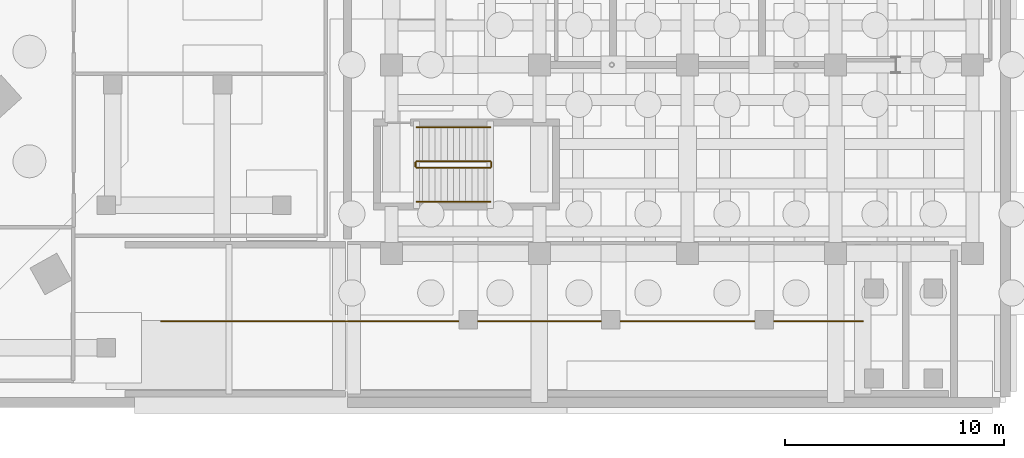
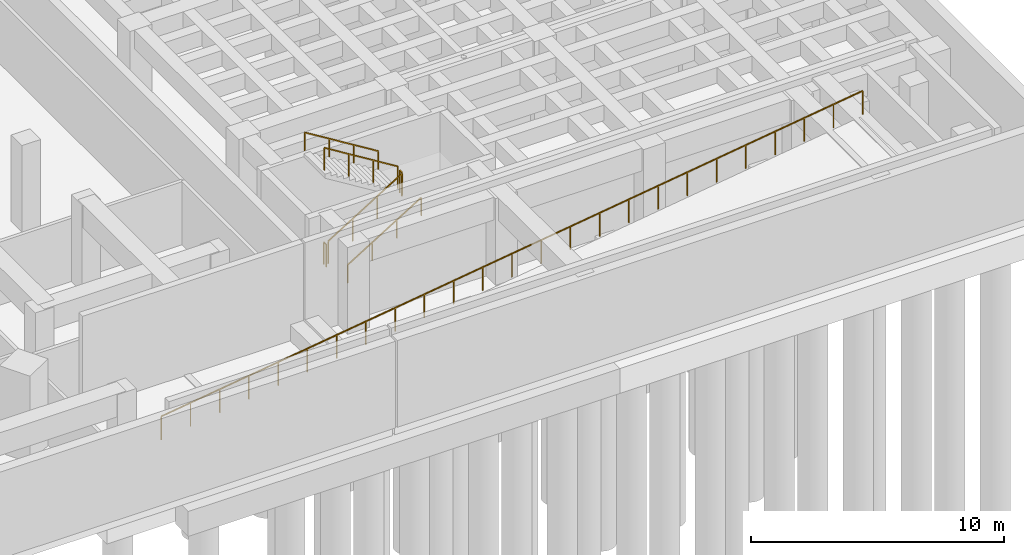
# One storey, part 13 of 15: 7 railings.
"""IFC4 building model written with IfcOpenShell, lengths in metres."""

import ifcopenshell
import ifcopenshell.guid

model = None  # the IFC model being written
_history = None  # IfcOwnerHistory: only IFC2X3 demands one
_inside = {}  # id of a spatial element -> (the spatial element, [elements in it])
_under = {}  # id of a project, library or spatial element -> (it, [spatial elements below it])
_declared = {}  # id of a project -> (the project, [libraries it declares])
_typed = {}  # id of a type object -> (the type object, [elements of that type])
_made_of = {}  # id of a material, layer set ... -> (it, [elements and type objects made of it])


def new_model(schema):
    """Start an empty IFC model of exactly this schema.

    Asked for "IFC4X3", IfcOpenShell would pick the latest addendum, in which some entities
    have other attributes; the version numbers below select the first issue.
    IFC2X3 requires an IfcOwnerHistory on every rooted entity: one is made here for all.
    """
    global model, _history
    if schema == "IFC4X3":
        model = ifcopenshell.file(schema_version=(4, 3, 0, 0))
    else:
        model = ifcopenshell.file(schema=schema)
    _inside.clear()
    _under.clear()
    _declared.clear()
    _typed.clear()
    _made_of.clear()
    _history = None
    if model.schema == "IFC2X3":
        org = make("IfcOrganization", Name="unknown")
        user = make(
            "IfcPersonAndOrganization",
            ThePerson=make("IfcPerson", FamilyName="unknown"),
            TheOrganization=org,
        )
        app = make(
            "IfcApplication",
            ApplicationDeveloper=org,
            Version="unknown",
            ApplicationFullName="unknown",
            ApplicationIdentifier="unknown",
        )
        _history = make(
            "IfcOwnerHistory",
            OwningUser=user,
            OwningApplication=app,
            ChangeAction="ADDED",
            CreationDate=0,
        )
    return model


def make(cls, **values):
    """One entity of the class cls with the attributes given. An attribute that is None is left unset."""
    return model.create_entity(
        cls, **{name: value for name, value in values.items() if value is not None}
    )


def rooted(cls, **values):
    """An entity with a GlobalId (a new one), such as an element, a storey or a relation."""
    return make(cls, GlobalId=ifcopenshell.guid.new(), OwnerHistory=_history, **values)


def si_unit(unit_type, name, prefix=None):
    """IfcSIUnit, for example si_unit("LENGTHUNIT", "METRE", prefix="MILLI")."""
    return make("IfcSIUnit", UnitType=unit_type, Prefix=prefix, Name=name)


def assignment(units):
    """IfcUnitAssignment: the units of a project."""
    return None if units is None else make("IfcUnitAssignment", Units=units)


def point(xyz):
    """IfcCartesianPoint."""
    return None if xyz is None else make("IfcCartesianPoint", Coordinates=xyz)


def direction(xyz):
    """IfcDirection."""
    return None if xyz is None else make("IfcDirection", DirectionRatios=xyz)


def frame(location, z_axis=None, x_axis=None):
    """IfcAxis2Placement3D, a coordinate frame: its origin and axes. An axis left out is left unset."""
    return make(
        "IfcAxis2Placement3D",
        Location=point(location),
        Axis=direction(z_axis),
        RefDirection=direction(x_axis),
    )


def frame_2d(location, x_axis=None):
    """IfcAxis2Placement2D, a coordinate frame in the plane: its origin and x axis."""
    return make(
        "IfcAxis2Placement2D", Location=point(location), RefDirection=direction(x_axis)
    )


def origin():
    """The frame at (0, 0, 0) with its axes left unset."""
    return frame((0.0, 0.0, 0.0))


def origin_2d():
    """The frame at (0, 0) in the plane with its x axis left unset."""
    return frame_2d((0.0, 0.0))


def place(relative_to, where):
    """IfcLocalPlacement: puts the frame where relative to a parent placement (None: the world)."""
    return make(
        "IfcLocalPlacement", PlacementRelTo=relative_to, RelativePlacement=where
    )


def context(
    kind, dimensions, precision=None, world=None, true_north=None, identifier=None
):
    """IfcGeometricRepresentationContext, for example the 3D "Model" context."""
    return make(
        "IfcGeometricRepresentationContext",
        ContextIdentifier=identifier,
        ContextType=kind,
        CoordinateSpaceDimension=dimensions,
        Precision=precision,
        WorldCoordinateSystem=world,
        TrueNorth=true_north,
    )


def subcontext(parent, identifier, kind, view, scale=None):
    """IfcGeometricRepresentationSubContext, for example "Body" below "Model"."""
    return make(
        "IfcGeometricRepresentationSubContext",
        ContextIdentifier=identifier,
        ContextType=kind,
        ParentContext=parent,
        TargetScale=scale,
        TargetView=view,
    )


def project(units=None, contexts=None):
    """IfcProject with its units and contexts."""
    return rooted(
        "IfcProject",
        Name="project",
        RepresentationContexts=contexts,
        UnitsInContext=assignment(units),
    )


def spatial(cls, under=None, at=None, **own):
    """A site, building, storey or space (cls), placed at a placement, below another one or the project."""
    s = rooted(cls, ObjectPlacement=at, **own)
    if under is not None:
        _under.setdefault(under.id(), (under, []))[1].append(s)
    return s


def profile(cls, at=None, kind="AREA", **sizes):
    """A parametric profile (cls). Its sizes go by their IFC names, for example OverallWidth=200.0."""
    return make(cls, ProfileType=kind, Position=at, **sizes)


def rectangle(**sizes):
    """IfcRectangleProfileDef."""
    return profile("IfcRectangleProfileDef", **sizes)


def extrude(swept, where, along, depth):
    """IfcExtrudedAreaSolid: the profile swept, set in the frame where, extruded along a direction by depth."""
    return make(
        "IfcExtrudedAreaSolid",
        SweptArea=swept,
        Position=where,
        ExtrudedDirection=direction(along),
        Depth=depth,
    )


def shape(context_of_items, identifier, shape_type, items):
    """IfcShapeRepresentation: the items that make up one representation, for example the "Body"."""
    return make(
        "IfcShapeRepresentation",
        ContextOfItems=context_of_items,
        RepresentationIdentifier=identifier,
        RepresentationType=shape_type,
        Items=items,
    )


def material(Name=None, Category=None):
    """IfcMaterial."""
    return make("IfcMaterial", Name=Name, Category=Category)


def made_of(thing, what):
    """Note that an element or type object is made of a material, layer set ...; save() writes the relation."""
    if what is not None:
        _made_of.setdefault(what.id(), (what, []))[1].append(thing)
    return thing


def type_object(cls, material=None, **own):
    """A type object (cls), such as IfcWallType, which elements share."""
    return made_of(rooted(cls, **own), material)


def element(
    cls,
    number,
    at=None,
    inside=None,
    cuts=None,
    type_object=None,
    material=None,
    context=None,
    identifier="Body",
    shape_type=None,
    held_by="IfcProductDefinitionShape",
    body=None,
    shapes=None,
    **own,
):
    """One element of the class cls, such as IfcWall. Its Tag is "e" and its number.

    at: its placement. inside: the storey or other place that contains it. cuts: it is an
    opening in that element (IfcRelVoidsElement). A single representation is given by context,
    identifier, shape_type and body (its items); several are given by shapes. held_by: the class
    of the entity that holds the representations. save() writes the other relations.
    """
    e = rooted(cls, Tag="e%d" % number, ObjectPlacement=at, **own)
    if body is not None:
        shapes = [shape(context, identifier, shape_type, body)]
    if shapes is not None:
        e.Representation = make(held_by, Representations=shapes)
    if inside is not None:
        _inside.setdefault(inside.id(), (inside, []))[1].append(e)
    if cuts is not None:
        rooted(
            "IfcRelVoidsElement", RelatingBuildingElement=cuts, RelatedOpeningElement=e
        )
    if type_object is not None:
        _typed.setdefault(type_object.id(), (type_object, []))[1].append(e)
    return made_of(e, material)


def aggregate(whole, parts):
    """IfcRelAggregates: a whole, such as a stair, and the parts it consists of."""
    return rooted("IfcRelAggregates", RelatingObject=whole, RelatedObjects=parts)


def save(model, path):
    """Write the relations noted so far, then the file.

    IfcRelAggregates (storeys below a building ...), IfcRelContainedInSpatialStructure (elements
    in a storey), IfcRelDefinesByType, IfcRelAssociatesMaterial and IfcRelDeclares: one each for
    every whole, place, type object, material and project.
    """
    for whole, parts in _under.values():
        aggregate(whole, parts)
    for where, things in _inside.values():
        rooted(
            "IfcRelContainedInSpatialStructure",
            RelatedElements=things,
            RelatingStructure=where,
        )
    for kind, things in _typed.values():
        rooted("IfcRelDefinesByType", RelatedObjects=things, RelatingType=kind)
    for what, things in _made_of.values():
        rooted("IfcRelAssociatesMaterial", RelatedObjects=things, RelatingMaterial=what)
    for by, libraries in _declared.values():
        rooted("IfcRelDeclares", RelatingContext=by, RelatedDefinitions=libraries)
    model.write(path)


model = new_model("IFC4")

# Units and contexts
model_context = context("Model", 3, precision=1e-05, world=origin(), true_north=direction((0.0, 1.0)))
body_context = subcontext(model_context, "Body", "Model", "MODEL_VIEW")
ifc_project = project(units=[si_unit("LENGTHUNIT", "METRE"), si_unit("AREAUNIT", "SQUARE_METRE"), si_unit("VOLUMEUNIT", "CUBIC_METRE"), si_unit("PLANEANGLEUNIT", "RADIAN"), si_unit("MASSUNIT", "GRAM", prefix="KILO")], contexts=[model_context])

# Site, building, storey
site_placement = place(None, origin())
site = spatial("IfcSite", under=ifc_project, at=site_placement, CompositionType="ELEMENT")
building_placement = place(site_placement, origin())
building = spatial("IfcBuilding", under=site, at=building_placement, Name="Korentha Bioscience Tower", CompositionType="ELEMENT")
storey_placement = place(building_placement, frame((0.0, 0.0, -9.0)))
storey = spatial("IfcBuildingStorey", under=building, at=storey_placement, Name="B2", CompositionType="ELEMENT", Elevation=-9.0)

# Railings
ifc_material_1 = material(Name="Stainless Steel 304", Category="steel")
railing_type_1 = type_object("IfcRailingType", Name="Brushed Stainless Stair Handrail 900", PredefinedType="HANDRAIL", material=ifc_material_1)
railing_1_placement = place(storey_placement, frame((67.64990234375, 12.14990234375, 0.173095703125)))
element("IfcRailing", 1, at=railing_1_placement, inside=storey, type_object=railing_type_1, Name="B2 ST-T1 stair handrail 1", PredefinedType="HANDRAIL", context=body_context, shape_type="SweptSolid", body=[
    extrude(rectangle(XDim=0.048095703125, YDim=0.048095703125, at=origin_2d()), frame((0.0, 0.0, 0.8759765625), z_axis=(0.850623216509, 0.0, 0.525775754039), x_axis=(0.0, 1.0, 0.0)), (0.0, 0.0, 1.0), 3.9501953125),
    extrude(rectangle(XDim=0.0419921875, YDim=0.0419921875, at=origin_2d()), origin(), (0.0, 0.0, 1.0), 0.851806640625),
    extrude(rectangle(XDim=0.0419921875, YDim=0.0419921875, at=origin_2d()), frame((1.1201171875, 0.0, 0.6923828125)), (0.0, 0.0, 1.0), 0.851806640625),
    extrude(rectangle(XDim=0.0419921875, YDim=0.0419921875, at=origin_2d()), frame((2.239990234375, 0.0, 1.384521484375)), (0.0, 0.0, 1.0), 0.851806640625),
    extrude(rectangle(XDim=0.0419921875, YDim=0.0419921875, at=origin_2d()), frame((3.360107421875, 0.0, 2.076904296875)), (0.0, 0.0, 1.0), 0.851806640625),
])
railing_2_placement = place(storey_placement, frame((71.010009765625, 15.550048828125, 2.423095703125)))
element("IfcRailing", 2, at=railing_2_placement, inside=storey, type_object=railing_type_1, Name="B2 ST-T1 stair handrail 2", PredefinedType="HANDRAIL", context=body_context, shape_type="SweptSolid", body=[
    extrude(rectangle(XDim=0.048095703125, YDim=0.048095703125, at=origin_2d()), frame((0.0, 0.0, 0.8759765625), z_axis=(-0.850623216509, 0.0, 0.525775754039), x_axis=(0.0, -1.0, 0.0)), (0.0, 0.0, 1.0), 3.9501953125),
    extrude(rectangle(XDim=0.0419921875, YDim=0.0419921875, at=origin_2d()), origin(), (0.0, 0.0, 1.0), 0.851806640625),
    extrude(rectangle(XDim=0.0419921875, YDim=0.0419921875, at=origin_2d()), frame((-1.1201171875, 0.0, 0.6923828125)), (0.0, 0.0, 1.0), 0.851806640625),
    extrude(rectangle(XDim=0.0419921875, YDim=0.0419921875, at=origin_2d()), frame((-2.239990234375, 0.0, 1.384521484375)), (0.0, 0.0, 1.0), 0.851806640625),
    extrude(rectangle(XDim=0.0419921875, YDim=0.0419921875, at=origin_2d()), frame((-3.360107421875, 0.0, 2.076904296875)), (0.0, 0.0, 1.0), 0.851806640625),
])
ifc_material_2 = material(Name="Laminated Tempered Safety Glass", Category="glass")
railing_type_2 = type_object("IfcRailingType", Name="Laminated Glass Balcony Guardrail 1150", PredefinedType="BALUSTRADE", material=ifc_material_2)
railing_3_placement = place(storey_placement, frame((56.0, 6.699951171875, 0.0)))
element("IfcRailing", 3, at=railing_3_placement, inside=storey, type_object=railing_type_2, Name="B2 Car Park Ramp Inner Lane Guardrail", PredefinedType="BALUSTRADE", context=body_context, shape_type="SweptSolid", body=[
    extrude(rectangle(XDim=0.048095703125, YDim=0.048095703125, at=origin_2d()), frame((0.0, 0.0, 1.1259765625), z_axis=(0.990256578838, 0.0, 0.139254831399), x_axis=(0.0, 1.0, 0.0)), (0.0, 0.0, 1.0), 32.31494140625),
    extrude(rectangle(XDim=0.0419921875, YDim=0.0419921875, at=origin_2d()), origin(), (0.0, 0.0, 1.0), 1.101806640625),
    extrude(rectangle(XDim=0.0419921875, YDim=0.0419921875, at=origin_2d()), frame((1.333251953125, 0.0, 0.1875)), (0.0, 0.0, 1.0), 1.101806640625),
    extrude(rectangle(XDim=0.0419921875, YDim=0.0419921875, at=origin_2d()), frame((2.666748046875, 0.0, 0.375)), (0.0, 0.0, 1.0), 1.101806640625),
    extrude(rectangle(XDim=0.0419921875, YDim=0.0419921875, at=origin_2d()), frame((4.0, 0.0, 0.5625)), (0.0, 0.0, 1.0), 1.101806640625),
    extrude(rectangle(XDim=0.0419921875, YDim=0.0419921875, at=origin_2d()), frame((5.333251953125, 0.0, 0.75)), (0.0, 0.0, 1.0), 1.101806640625),
    extrude(rectangle(XDim=0.0419921875, YDim=0.0419921875, at=origin_2d()), frame((6.666748046875, 0.0, 0.9375)), (0.0, 0.0, 1.0), 1.101806640625),
    extrude(rectangle(XDim=0.0419921875, YDim=0.0419921875, at=origin_2d()), frame((8.0, 0.0, 1.125)), (0.0, 0.0, 1.0), 1.101806640625),
    extrude(rectangle(XDim=0.0419921875, YDim=0.0419921875, at=origin_2d()), frame((9.333251953125, 0.0, 1.3125)), (0.0, 0.0, 1.0), 1.101806640625),
    extrude(rectangle(XDim=0.0419921875, YDim=0.0419921875, at=origin_2d()), frame((10.666748046875, 0.0, 1.5)), (0.0, 0.0, 1.0), 1.101806640625),
    extrude(rectangle(XDim=0.0419921875, YDim=0.0419921875, at=origin_2d()), frame((12.0, 0.0, 1.6875)), (0.0, 0.0, 1.0), 1.101806640625),
    extrude(rectangle(XDim=0.0419921875, YDim=0.0419921875, at=origin_2d()), frame((13.333251953125, 0.0, 1.875)), (0.0, 0.0, 1.0), 1.101806640625),
    extrude(rectangle(XDim=0.0419921875, YDim=0.0419921875, at=origin_2d()), frame((14.666748046875, 0.0, 2.0625)), (0.0, 0.0, 1.0), 1.101806640625),
    extrude(rectangle(XDim=0.0419921875, YDim=0.0419921875, at=origin_2d()), frame((16.0, 0.0, 2.25)), (0.0, 0.0, 1.0), 1.101806640625),
    extrude(rectangle(XDim=0.0419921875, YDim=0.0419921875, at=origin_2d()), frame((17.333251953125, 0.0, 2.4375)), (0.0, 0.0, 1.0), 1.101806640625),
    extrude(rectangle(XDim=0.0419921875, YDim=0.0419921875, at=origin_2d()), frame((18.666748046875, 0.0, 2.625)), (0.0, 0.0, 1.0), 1.101806640625),
    extrude(rectangle(XDim=0.0419921875, YDim=0.0419921875, at=origin_2d()), frame((20.0, 0.0, 2.8125)), (0.0, 0.0, 1.0), 1.101806640625),
    extrude(rectangle(XDim=0.0419921875, YDim=0.0419921875, at=origin_2d()), frame((21.333251953125, 0.0, 3.0)), (0.0, 0.0, 1.0), 1.101806640625),
    extrude(rectangle(XDim=0.0419921875, YDim=0.0419921875, at=origin_2d()), frame((22.666748046875, 0.0, 3.1875)), (0.0, 0.0, 1.0), 1.101806640625),
    extrude(rectangle(XDim=0.0419921875, YDim=0.0419921875, at=origin_2d()), frame((24.0, 0.0, 3.375)), (0.0, 0.0, 1.0), 1.101806640625),
    extrude(rectangle(XDim=0.0419921875, YDim=0.0419921875, at=origin_2d()), frame((25.333251953125, 0.0, 3.5625)), (0.0, 0.0, 1.0), 1.101806640625),
    extrude(rectangle(XDim=0.0419921875, YDim=0.0419921875, at=origin_2d()), frame((26.666748046875, 0.0, 3.75)), (0.0, 0.0, 1.0), 1.101806640625),
    extrude(rectangle(XDim=0.0419921875, YDim=0.0419921875, at=origin_2d()), frame((28.0, 0.0, 3.9375)), (0.0, 0.0, 1.0), 1.101806640625),
    extrude(rectangle(XDim=0.0419921875, YDim=0.0419921875, at=origin_2d()), frame((29.333251953125, 0.0, 4.125)), (0.0, 0.0, 1.0), 1.101806640625),
    extrude(rectangle(XDim=0.0419921875, YDim=0.0419921875, at=origin_2d()), frame((30.666748046875, 0.0, 4.3125)), (0.0, 0.0, 1.0), 1.101806640625),
    extrude(rectangle(XDim=0.0419921875, YDim=0.0419921875, at=origin_2d()), frame((32.0, 0.0, 4.5)), (0.0, 0.0, 1.0), 1.101806640625),
])
ifc_material_3 = material(Name="Painted Steel S275", Category="steel")
railing_type_3 = type_object("IfcRailingType", Name="Painted Steel Stair Well Guardrail 1100", PredefinedType="GUARDRAIL", material=ifc_material_3)
railing_4_placement = place(storey_placement, frame((67.64990234375, 13.699951171875, 0.173095703125)))
element("IfcRailing", 4, at=railing_4_placement, inside=storey, type_object=railing_type_3, Name="B2 ST-T1 stair guard 1", PredefinedType="GUARDRAIL", context=body_context, shape_type="SweptSolid", body=[
    extrude(rectangle(XDim=0.048095703125, YDim=0.048095703125, at=origin_2d()), frame((0.0, 0.0, 1.076171875), z_axis=(0.850623216509, 0.0, 0.525775754039), x_axis=(0.0, 1.0, 0.0)), (0.0, 0.0, 1.0), 3.9501953125),
    extrude(rectangle(XDim=0.0419921875, YDim=0.0419921875, at=origin_2d()), origin(), (0.0, 0.0, 1.0), 1.052001953125),
    extrude(rectangle(XDim=0.0419921875, YDim=0.0419921875, at=origin_2d()), frame((1.1201171875, 0.0, 0.6923828125)), (0.0, 0.0, 1.0), 1.052001953125),
    extrude(rectangle(XDim=0.0419921875, YDim=0.0419921875, at=origin_2d()), frame((2.239990234375, 0.0, 1.384521484375)), (0.0, 0.0, 1.0), 1.052001953125),
    extrude(rectangle(XDim=0.0419921875, YDim=0.0419921875, at=origin_2d()), frame((3.360107421875, 0.0, 2.076904296875)), (0.0, 0.0, 1.0), 1.052001953125),
])
railing_5_placement = place(storey_placement, frame((71.06005859375, 13.75, 2.25)))
element("IfcRailing", 5, at=railing_5_placement, inside=storey, type_object=railing_type_3, Name="B2 ST-T1 stair guard 2", PredefinedType="GUARDRAIL", context=body_context, shape_type="SweptSolid", body=[
    extrude(rectangle(XDim=0.048095703125, YDim=0.048095703125, at=origin_2d()), frame((0.0, 0.0, 1.076171875), z_axis=(0.0, 1.0, 0.0), x_axis=(-1.0, 0.0, 0.0)), (0.0, 0.0, 1.0), 0.199951171875),
    extrude(rectangle(XDim=0.0419921875, YDim=0.0419921875, at=origin_2d()), origin(), (0.0, 0.0, 1.0), 1.052001953125),
    extrude(rectangle(XDim=0.0419921875, YDim=0.0419921875, at=origin_2d()), frame((0.0, 0.199951171875, 0.0)), (0.0, 0.0, 1.0), 1.052001953125),
])
railing_6_placement = place(storey_placement, frame((71.010009765625, 14.0, 2.423095703125)))
element("IfcRailing", 6, at=railing_6_placement, inside=storey, type_object=railing_type_3, Name="B2 ST-T1 stair guard 3", PredefinedType="GUARDRAIL", context=body_context, shape_type="SweptSolid", body=[
    extrude(rectangle(XDim=0.048095703125, YDim=0.048095703125, at=origin_2d()), frame((0.0, 0.0, 1.076171875), z_axis=(-0.850623216509, 0.0, 0.525775754039), x_axis=(0.0, -1.0, 0.0)), (0.0, 0.0, 1.0), 3.9501953125),
    extrude(rectangle(XDim=0.0419921875, YDim=0.0419921875, at=origin_2d()), origin(), (0.0, 0.0, 1.0), 1.052001953125),
    extrude(rectangle(XDim=0.0419921875, YDim=0.0419921875, at=origin_2d()), frame((-1.1201171875, 0.0, 0.6923828125)), (0.0, 0.0, 1.0), 1.052001953125),
    extrude(rectangle(XDim=0.0419921875, YDim=0.0419921875, at=origin_2d()), frame((-2.239990234375, 0.0, 1.384521484375)), (0.0, 0.0, 1.0), 1.052001953125),
    extrude(rectangle(XDim=0.0419921875, YDim=0.0419921875, at=origin_2d()), frame((-3.360107421875, 0.0, 2.076904296875)), (0.0, 0.0, 1.0), 1.052001953125),
])
railing_7_placement = place(storey_placement, frame((67.60009765625, 13.75, 0.0)))
element("IfcRailing", 7, at=railing_7_placement, inside=storey, type_object=railing_type_3, Name="B2 ST-T1 stair guard 4", PredefinedType="GUARDRAIL", context=body_context, shape_type="SweptSolid", body=[
    extrude(rectangle(XDim=0.048095703125, YDim=0.048095703125, at=origin_2d()), frame((0.0, 0.0, 1.076171875), z_axis=(0.0, 1.0, 0.0), x_axis=(-1.0, 0.0, 0.0)), (0.0, 0.0, 1.0), 0.199951171875),
    extrude(rectangle(XDim=0.0419921875, YDim=0.0419921875, at=origin_2d()), origin(), (0.0, 0.0, 1.0), 1.052001953125),
    extrude(rectangle(XDim=0.0419921875, YDim=0.0419921875, at=origin_2d()), frame((0.0, 0.199951171875, 0.0)), (0.0, 0.0, 1.0), 1.052001953125),
])

save(model, "model.ifc")
